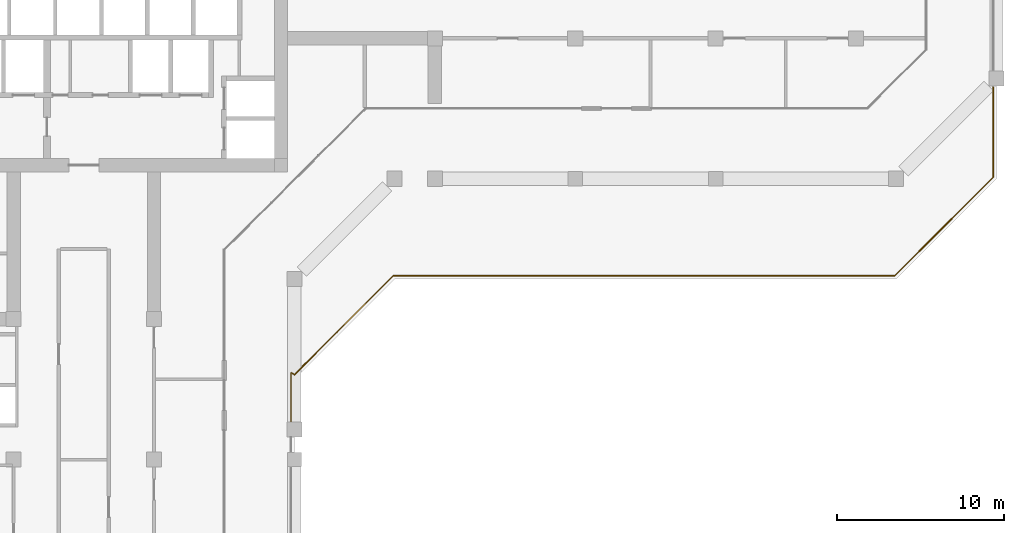
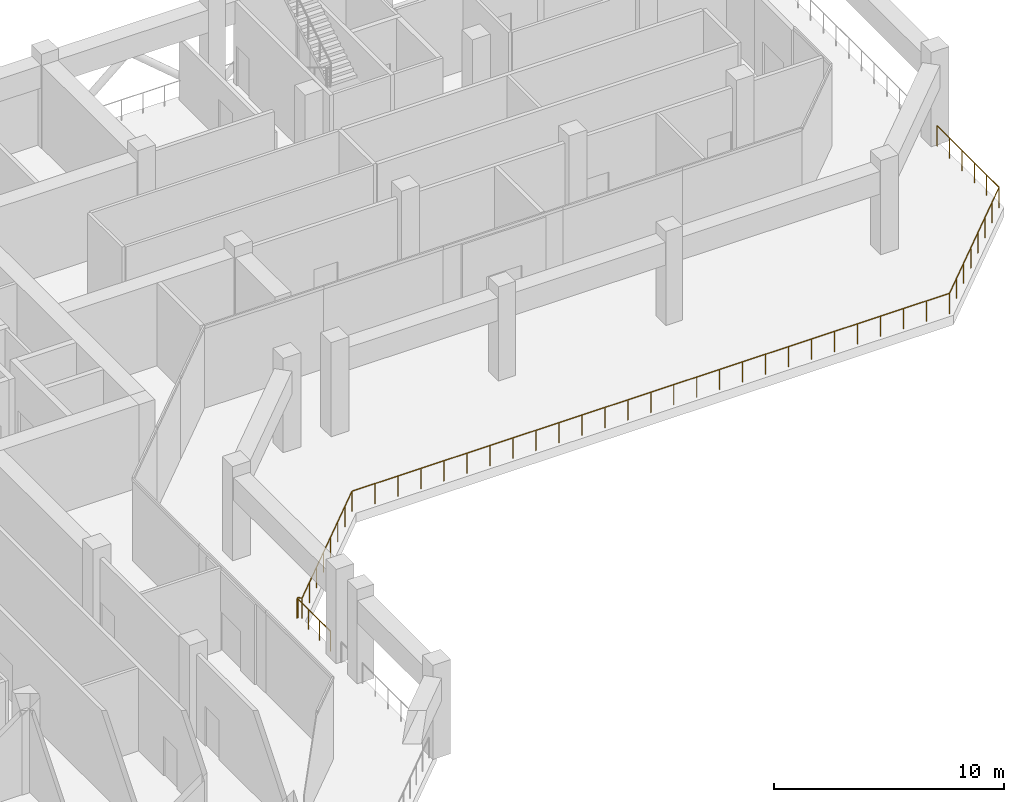
# One storey, part 11 of 14: 1 railing.
"""IFC4 building model written with IfcOpenShell, lengths in metres."""

from ifc_helpers import new_model, si_unit, direction, frame, origin, origin_2d, place, context, subcontext, project, spatial, circle, extrude, material, type_object, element, save


model = new_model("IFC4")

# Units and contexts
model_context = context("Model", 3, precision=1e-05, world=origin(), true_north=direction((0.0, 1.0)))
body_context = subcontext(model_context, "Body", "Model", "MODEL_VIEW")
ifc_project = project(units=[si_unit("LENGTHUNIT", "METRE"), si_unit("AREAUNIT", "SQUARE_METRE"), si_unit("VOLUMEUNIT", "CUBIC_METRE"), si_unit("PLANEANGLEUNIT", "RADIAN"), si_unit("MASSUNIT", "GRAM", prefix="KILO")], contexts=[model_context])

# Site, building, storey
site_placement = place(None, origin())
site = spatial("IfcSite", under=ifc_project, at=site_placement, CompositionType="ELEMENT")
building_placement = place(site_placement, origin())
building = spatial("IfcBuilding", under=site, at=building_placement, Name="Kawkab Arch Medical Tower", CompositionType="ELEMENT")
storey_placement = place(building_placement, frame((0.0, 0.0, 213.0)))
storey = spatial("IfcBuildingStorey", under=building, at=storey_placement, Name="L49", CompositionType="ELEMENT", Elevation=213.0)

# Railing
ifc_material = material(Name="Bronze anodised aluminium guard", Category="aluminium")
railing_type = type_object("IfcRailingType", Name="Loggia and terrace guard 1100", PredefinedType="GUARDRAIL", material=ifc_material)
railing_placement = place(storey_placement, frame((66.9990234375, -19.72998046875, 0.0)))
element("IfcRailing", 1, at=railing_placement, inside=storey, type_object=railing_type, Name="Guard L49.REF-01.1.5", PredefinedType="GUARDRAIL", context=body_context, shape_type="SweptSolid", body=[
    extrude(circle(Radius=0.02392578125, at=origin_2d()), frame((0.0, 0.0, 1.076171875), z_axis=(0.000181282571, -0.999999983568, 0.0), x_axis=(0.999999983568, 0.000181282571, 0.0)), (0.0, 0.0, 1.0), 5.386962890625),
    extrude(circle(Radius=0.02392578125, at=origin_2d()), frame((0.0009765625, -5.386962890625, 1.076171875), z_axis=(-0.707106781187, -0.707106781187, 0.0), x_axis=(0.707106781187, -0.707106781187, 0.0)), (0.0, 0.0, 1.0), 8.317138671875),
    extrude(circle(Radius=0.02392578125, at=origin_2d()), frame((-5.880126953125, -11.26806640625, 1.076171875), z_axis=(-0.999999997881, -6.5099928e-05, 0.0), x_axis=(6.5099928e-05, -0.999999997881, 0.0)), (0.0, 0.0, 1.0), 30.001953125),
    extrude(circle(Radius=0.02392578125, at=origin_2d()), frame((-35.882080078125, -11.27001953125, 1.076171875), z_axis=(-0.707033917384, -0.707179637482, 0.0), x_axis=(0.707179637482, -0.707033917384, 0.0)), (0.0, 0.0, 1.0), 8.376953125),
    extrude(circle(Radius=0.02392578125, at=origin_2d()), frame((-41.804931640625, -17.194091796875, 1.076171875), z_axis=(-0.796411665851, 0.604754874719, 0.0), x_axis=(-0.604754874719, -0.796411665851, 0.0)), (0.0, 0.0, 1.0), 0.1884765625),
    extrude(circle(Radius=0.02392578125, at=origin_2d()), frame((-41.955078125, -17.080078125, 1.076171875), z_axis=(-0.894427191, -0.4472135955, 0.0), x_axis=(0.4472135955, -0.894427191, 0.0)), (0.0, 0.0, 1.0), 0.049072265625),
    extrude(circle(Radius=0.02392578125, at=origin_2d()), frame((-41.9990234375, -17.10205078125, 1.076171875), z_axis=(0.0, -1.0, 0.0), x_axis=(1.0, 0.0, 0.0)), (0.0, 0.0, 1.0), 2.887939453125),
    extrude(circle(Radius=0.02099609375, at=origin_2d()), origin(), (0.0, 0.0, 1.0), 1.052001953125),
    extrude(circle(Radius=0.02099609375, at=origin_2d()), frame((0.000244140625, -1.077392578125, 0.0)), (0.0, 0.0, 1.0), 1.052001953125),
    extrude(circle(Radius=0.02099609375, at=origin_2d()), frame((0.00048828125, -2.15478515625, 0.0)), (0.0, 0.0, 1.0), 1.052001953125),
    extrude(circle(Radius=0.02099609375, at=origin_2d()), frame((0.00048828125, -3.232177734375, 0.0)), (0.0, 0.0, 1.0), 1.052001953125),
    extrude(circle(Radius=0.02099609375, at=origin_2d()), frame((0.000732421875, -4.3095703125, 0.0)), (0.0, 0.0, 1.0), 1.052001953125),
    extrude(circle(Radius=0.02099609375, at=origin_2d()), frame((0.0009765625, -5.386962890625, 0.0)), (0.0, 0.0, 1.0), 1.052001953125),
    extrude(circle(Radius=0.02099609375, at=origin_2d()), frame((-0.839111328125, -6.22705078125, 0.0)), (0.0, 0.0, 1.0), 1.052001953125),
    extrude(circle(Radius=0.02099609375, at=origin_2d()), frame((-1.679443359375, -7.0673828125, 0.0)), (0.0, 0.0, 1.0), 1.052001953125),
    extrude(circle(Radius=0.02099609375, at=origin_2d()), frame((-2.51953125, -7.907470703125, 0.0)), (0.0, 0.0, 1.0), 1.052001953125),
    extrude(circle(Radius=0.02099609375, at=origin_2d()), frame((-3.359619140625, -8.74755859375, 0.0)), (0.0, 0.0, 1.0), 1.052001953125),
    extrude(circle(Radius=0.02099609375, at=origin_2d()), frame((-4.19970703125, -9.587646484375, 0.0)), (0.0, 0.0, 1.0), 1.052001953125),
    extrude(circle(Radius=0.02099609375, at=origin_2d()), frame((-5.0400390625, -10.427978515625, 0.0)), (0.0, 0.0, 1.0), 1.052001953125),
    extrude(circle(Radius=0.02099609375, at=origin_2d()), frame((-5.880126953125, -11.26806640625, 0.0)), (0.0, 0.0, 1.0), 1.052001953125),
    extrude(circle(Radius=0.02099609375, at=origin_2d()), frame((-7.033935546875, -11.26806640625, 0.0)), (0.0, 0.0, 1.0), 1.052001953125),
    extrude(circle(Radius=0.02099609375, at=origin_2d()), frame((-8.18798828125, -11.268310546875, 0.0)), (0.0, 0.0, 1.0), 1.052001953125),
    extrude(circle(Radius=0.02099609375, at=origin_2d()), frame((-9.341796875, -11.268310546875, 0.0)), (0.0, 0.0, 1.0), 1.052001953125),
    extrude(circle(Radius=0.02099609375, at=origin_2d()), frame((-10.495849609375, -11.268310546875, 0.0)), (0.0, 0.0, 1.0), 1.052001953125),
    extrude(circle(Radius=0.02099609375, at=origin_2d()), frame((-11.649658203125, -11.2685546875, 0.0)), (0.0, 0.0, 1.0), 1.052001953125),
    extrude(circle(Radius=0.02099609375, at=origin_2d()), frame((-12.8037109375, -11.2685546875, 0.0)), (0.0, 0.0, 1.0), 1.052001953125),
    extrude(circle(Radius=0.02099609375, at=origin_2d()), frame((-13.95751953125, -11.2685546875, 0.0)), (0.0, 0.0, 1.0), 1.052001953125),
    extrude(circle(Radius=0.02099609375, at=origin_2d()), frame((-15.111572265625, -11.2685546875, 0.0)), (0.0, 0.0, 1.0), 1.052001953125),
    extrude(circle(Radius=0.02099609375, at=origin_2d()), frame((-16.265380859375, -11.268798828125, 0.0)), (0.0, 0.0, 1.0), 1.052001953125),
    extrude(circle(Radius=0.02099609375, at=origin_2d()), frame((-17.41943359375, -11.268798828125, 0.0)), (0.0, 0.0, 1.0), 1.052001953125),
    extrude(circle(Radius=0.02099609375, at=origin_2d()), frame((-18.5732421875, -11.268798828125, 0.0)), (0.0, 0.0, 1.0), 1.052001953125),
    extrude(circle(Radius=0.02099609375, at=origin_2d()), frame((-19.727294921875, -11.26904296875, 0.0)), (0.0, 0.0, 1.0), 1.052001953125),
    extrude(circle(Radius=0.02099609375, at=origin_2d()), frame((-20.881103515625, -11.26904296875, 0.0)), (0.0, 0.0, 1.0), 1.052001953125),
    extrude(circle(Radius=0.02099609375, at=origin_2d()), frame((-22.034912109375, -11.26904296875, 0.0)), (0.0, 0.0, 1.0), 1.052001953125),
    extrude(circle(Radius=0.02099609375, at=origin_2d()), frame((-23.18896484375, -11.269287109375, 0.0)), (0.0, 0.0, 1.0), 1.052001953125),
    extrude(circle(Radius=0.02099609375, at=origin_2d()), frame((-24.3427734375, -11.269287109375, 0.0)), (0.0, 0.0, 1.0), 1.052001953125),
    extrude(circle(Radius=0.02099609375, at=origin_2d()), frame((-25.496826171875, -11.269287109375, 0.0)), (0.0, 0.0, 1.0), 1.052001953125),
    extrude(circle(Radius=0.02099609375, at=origin_2d()), frame((-26.650634765625, -11.26953125, 0.0)), (0.0, 0.0, 1.0), 1.052001953125),
    extrude(circle(Radius=0.02099609375, at=origin_2d()), frame((-27.8046875, -11.26953125, 0.0)), (0.0, 0.0, 1.0), 1.052001953125),
    extrude(circle(Radius=0.02099609375, at=origin_2d()), frame((-28.95849609375, -11.26953125, 0.0)), (0.0, 0.0, 1.0), 1.052001953125),
    extrude(circle(Radius=0.02099609375, at=origin_2d()), frame((-30.112548828125, -11.26953125, 0.0)), (0.0, 0.0, 1.0), 1.052001953125),
    extrude(circle(Radius=0.02099609375, at=origin_2d()), frame((-31.266357421875, -11.269775390625, 0.0)), (0.0, 0.0, 1.0), 1.052001953125),
    extrude(circle(Radius=0.02099609375, at=origin_2d()), frame((-32.42041015625, -11.269775390625, 0.0)), (0.0, 0.0, 1.0), 1.052001953125),
    extrude(circle(Radius=0.02099609375, at=origin_2d()), frame((-33.57421875, -11.269775390625, 0.0)), (0.0, 0.0, 1.0), 1.052001953125),
    extrude(circle(Radius=0.02099609375, at=origin_2d()), frame((-34.728271484375, -11.27001953125, 0.0)), (0.0, 0.0, 1.0), 1.052001953125),
    extrude(circle(Radius=0.02099609375, at=origin_2d()), frame((-35.882080078125, -11.27001953125, 0.0)), (0.0, 0.0, 1.0), 1.052001953125),
    extrude(circle(Radius=0.02099609375, at=origin_2d()), frame((-36.728271484375, -12.1162109375, 0.0)), (0.0, 0.0, 1.0), 1.052001953125),
    extrude(circle(Radius=0.02099609375, at=origin_2d()), frame((-37.57421875, -12.962646484375, 0.0)), (0.0, 0.0, 1.0), 1.052001953125),
    extrude(circle(Radius=0.02099609375, at=origin_2d()), frame((-38.42041015625, -13.808837890625, 0.0)), (0.0, 0.0, 1.0), 1.052001953125),
    extrude(circle(Radius=0.02099609375, at=origin_2d()), frame((-39.2666015625, -14.6552734375, 0.0)), (0.0, 0.0, 1.0), 1.052001953125),
    extrude(circle(Radius=0.02099609375, at=origin_2d()), frame((-40.11279296875, -15.50146484375, 0.0)), (0.0, 0.0, 1.0), 1.052001953125),
    extrude(circle(Radius=0.02099609375, at=origin_2d()), frame((-40.958740234375, -16.347900390625, 0.0)), (0.0, 0.0, 1.0), 1.052001953125),
    extrude(circle(Radius=0.02099609375, at=origin_2d()), frame((-41.804931640625, -17.194091796875, 0.0)), (0.0, 0.0, 1.0), 1.052001953125),
    extrude(circle(Radius=0.02099609375, at=origin_2d()), frame((-41.955078125, -17.080078125, 0.0)), (0.0, 0.0, 1.0), 1.052001953125),
    extrude(circle(Radius=0.02099609375, at=origin_2d()), frame((-41.9990234375, -17.10205078125, 0.0)), (0.0, 0.0, 1.0), 1.052001953125),
    extrude(circle(Radius=0.02099609375, at=origin_2d()), frame((-41.9990234375, -18.064697265625, 0.0)), (0.0, 0.0, 1.0), 1.052001953125),
    extrude(circle(Radius=0.02099609375, at=origin_2d()), frame((-41.9990234375, -19.02734375, 0.0)), (0.0, 0.0, 1.0), 1.052001953125),
    extrude(circle(Radius=0.02099609375, at=origin_2d()), frame((-41.9990234375, -19.989990234375, 0.0)), (0.0, 0.0, 1.0), 1.052001953125),
])

save(model, "model.ifc")
